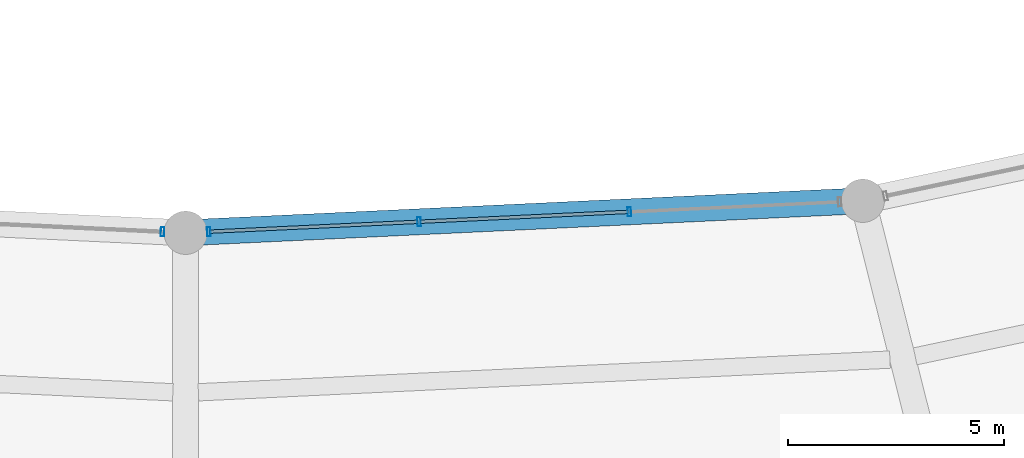
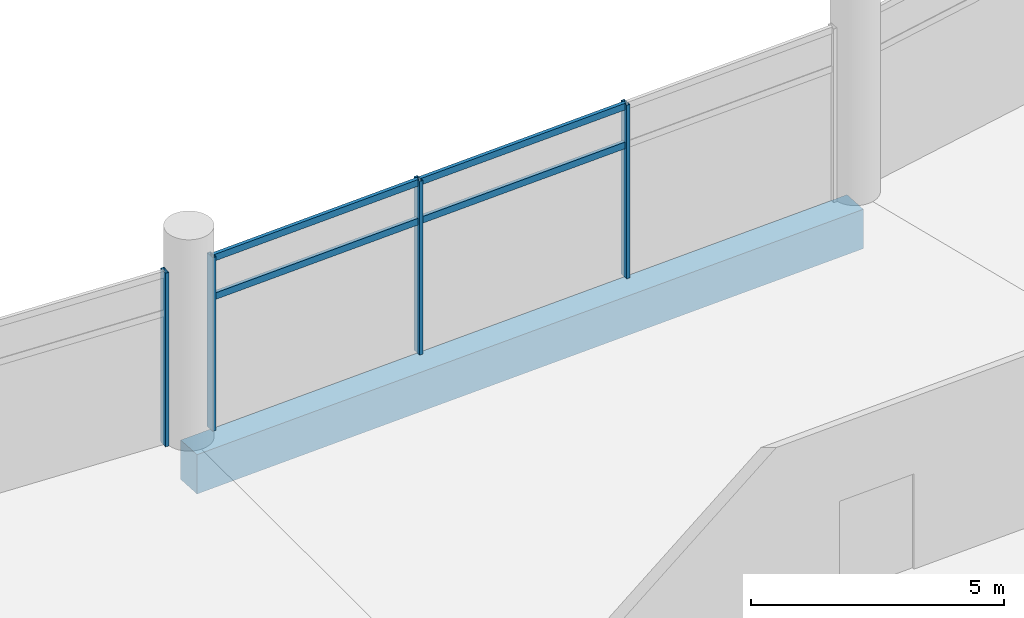
# One storey, part 31 of 184: 8 members, 1 beam, 2 elements without a shape of their own.
"""IFC4 building model written with IfcOpenShell, lengths in metres."""

from ifc_helpers import new_model, si_unit, direction, frame, origin, origin_2d, place, context, subcontext, project, spatial, rectangle, hollow_rectangle, extrude, material, layer, layer_set, material_profile, profile_set, type_object, element, aggregate, save


model = new_model("IFC4")

# Units and contexts
model_context = context("Model", 3, precision=1e-05, world=origin(), true_north=direction((0.0, 1.0)))
body_context = subcontext(model_context, "Body", "Model", "MODEL_VIEW")
ifc_project = project(units=[si_unit("LENGTHUNIT", "METRE"), si_unit("AREAUNIT", "SQUARE_METRE"), si_unit("VOLUMEUNIT", "CUBIC_METRE"), si_unit("PLANEANGLEUNIT", "RADIAN"), si_unit("MASSUNIT", "GRAM", prefix="KILO")], contexts=[model_context])

# Site, building, storey
site_placement = place(None, origin())
site = spatial("IfcSite", under=ifc_project, at=site_placement, CompositionType="ELEMENT")
building_placement = place(site_placement, origin())
building = spatial("IfcBuilding", under=site, at=building_placement, Name="Kazemori Nagisa Stadium", CompositionType="ELEMENT")
storey_placement = place(building_placement, frame((0.0, 0.0, 10.5400390625)))
storey = spatial("IfcBuildingStorey", under=building, at=storey_placement, Name="L02", CompositionType="ELEMENT", Elevation=10.5400390625)

# Beam
ifc_material_1 = material(Name="Concrete C40/50 (Fc42)", Category="concrete")
ifc_material_profile_1 = material_profile(ifc_material_1, rectangle(XDim=0.60009765625, YDim=0.949951171875, at=origin_2d()), Name="RC-BM-600x950")
ifc_profile_set_1 = profile_set([ifc_material_profile_1], Name="Concrete C40/50 (Fc42)")
beam_type = type_object("IfcBeamType", Name="Beam_BG-RC600X950", PredefinedType="BEAM", material=ifc_profile_set_1)
beam_placement = place(storey_placement, frame((123.0, 39.219970703125, -0.735107421875), z_axis=(0.998883604512, 0.047239227746, 0.0), x_axis=(-0.047239227746, 0.998883604512, 0.0)))
element("IfcBeam", 1, at=beam_placement, inside=storey, type_object=beam_type, Name="Ring girder BG-RC600X950 L02 R1-22", PredefinedType="BEAM", context=body_context, shape_type="SweptSolid", body=[
    extrude(rectangle(XDim=0.60009765625, YDim=0.949951171875, at=origin_2d()), origin(), (0.0, 0.0, 1.0), 15.65966796875),
])

# Curtain wall, member
ifc_material_2 = material(Name="Anodised aluminium 6063-T5", Category="aluminium")
ifc_layer = layer(ifc_material_2, 0.2099609375, Name="Anodised aluminium 6063-T5", Category="aluminium")
ifc_layer_set = layer_set([ifc_layer], Name="Anodised aluminium 6063-T5")
curtain_wall_type = type_object("IfcCurtainWallType", Name="CW_L02B_73", PredefinedType="USERDEFINED", material=ifc_layer_set)
curtain_wall_1_placement = place(storey_placement, origin())
curtain_wall_1 = element("IfcCurtainWall", 2, at=curtain_wall_1_placement, inside=storey, type_object=curtain_wall_type, Name="Unitised curtain wall CW-L02B-73 L02", ObjectType="UNITISED CURTAIN WALL", PredefinedType="USERDEFINED")
ifc_material_3 = material(Name="Aluminium 6063-T5 anodised", Category="aluminium")
ifc_material_profile_2 = material_profile(ifc_material_3, hollow_rectangle(XDim=0.080078125, YDim=0.2099609375, WallThickness=0.0048828125, at=origin_2d()), Name="ALU-MULL-80x210x5")
ifc_profile_set_2 = profile_set([ifc_material_profile_2], Name="Aluminium 6063-T5 anodised")
member_type_1 = type_object("IfcMemberType", Name="Mullion_M02", PredefinedType="MULLION", material=ifc_profile_set_2)
member_1_placement = place(storey_placement, frame((122.465576171875, 39.245361328125, 0.0), z_axis=(0.0, 0.0, 1.0), x_axis=(0.998884022476, -0.047230388971, 0.0)))
member_1 = element("IfcMember", 3, at=member_1_placement, type_object=member_type_1, Name="Curtain wall mullion CW-L02B-73-M4", PredefinedType="MULLION", context=body_context, shape_type="SweptSolid", body=[
    extrude(hollow_rectangle(XDim=0.080078125, YDim=0.2099609375, WallThickness=0.0048828125, at=origin_2d()), origin(), (0.0, 0.0, 1.0), 4.18994140625),
])
aggregate(curtain_wall_1, [member_1])

# Curtain wall, members
curtain_wall_2_placement = place(storey_placement, origin())
curtain_wall_2 = element("IfcCurtainWall", 4, at=curtain_wall_2_placement, inside=storey, type_object=curtain_wall_type, Name="Unitised curtain wall CW-L02B-73 L02", ObjectType="UNITISED CURTAIN WALL", PredefinedType="USERDEFINED")
member_2_placement = place(storey_placement, frame((123.534423828125, 39.245361328125, 0.0), z_axis=(0.0, 0.0, 1.0), x_axis=(0.998884022476, 0.047230388971, 0.0)))
member_2 = element("IfcMember", 5, at=member_2_placement, type_object=member_type_1, Name="Curtain wall mullion CW-L02B-73-M1", PredefinedType="MULLION", context=body_context, shape_type="SweptSolid", body=[
    extrude(hollow_rectangle(XDim=0.080078125, YDim=0.2099609375, WallThickness=0.0048828125, at=origin_2d()), origin(), (0.0, 0.0, 1.0), 4.18994140625),
])
member_3_placement = place(storey_placement, frame((128.39208984375, 39.474853515625, 0.0), z_axis=(0.0, 0.0, 1.0), x_axis=(0.998884022476, 0.047230388971, 0.0)))
member_3 = element("IfcMember", 6, at=member_3_placement, type_object=member_type_1, Name="Curtain wall mullion CW-L02B-73-M2", PredefinedType="MULLION", context=body_context, shape_type="SweptSolid", body=[
    extrude(hollow_rectangle(XDim=0.080078125, YDim=0.2099609375, WallThickness=0.0048828125, at=origin_2d()), origin(), (0.0, 0.0, 1.0), 4.18994140625),
])
member_4_placement = place(storey_placement, frame((133.25, 39.70458984375, 0.0), z_axis=(0.0, 0.0, 1.0), x_axis=(0.998884022476, 0.047230388971, 0.0)))
member_4 = element("IfcMember", 7, at=member_4_placement, type_object=member_type_1, Name="Curtain wall mullion CW-L02B-73-M3", PredefinedType="MULLION", context=body_context, shape_type="SweptSolid", body=[
    extrude(hollow_rectangle(XDim=0.080078125, YDim=0.2099609375, WallThickness=0.0048828125, at=origin_2d()), origin(), (0.0, 0.0, 1.0), 4.18994140625),
])
ifc_material_profile_3 = material_profile(ifc_material_3, hollow_rectangle(XDim=0.080078125, YDim=0.159912109375, WallThickness=0.00390625, at=origin_2d()), Name="ALU-TRAN-80x160x4")
ifc_profile_set_3 = profile_set([ifc_material_profile_3], Name="Aluminium 6063-T5 anodised")
member_type_2 = type_object("IfcMemberType", Name="Transom_T02", PredefinedType="USERDEFINED", material=ifc_profile_set_3)
member_5_placement = place(storey_placement, frame((123.554443359375, 39.24609375, 3.184326171875), z_axis=(0.99888183829, 0.047276560097, 0.0), x_axis=(-0.047276560097, 0.99888183829, 0.0)))
member_5 = element("IfcMember", 8, at=member_5_placement, type_object=member_type_2, Name="Curtain wall transom CW-L02B-73-T1-mid", ObjectType="TRANSOM", PredefinedType="USERDEFINED", context=body_context, shape_type="SweptSolid", body=[
    extrude(hollow_rectangle(XDim=0.080078125, YDim=0.159912109375, WallThickness=0.00390625, at=origin_2d()), origin(), (0.0, 0.0, 1.0), 4.8232421875),
])
member_6_placement = place(storey_placement, frame((123.554443359375, 39.24609375, 4.119873046875), z_axis=(0.99888183829, 0.047276560097, 0.0), x_axis=(-0.047276560097, 0.99888183829, 0.0)))
member_6 = element("IfcMember", 9, at=member_6_placement, type_object=member_type_2, Name="Curtain wall transom CW-L02B-73-T1-head", ObjectType="TRANSOM", PredefinedType="USERDEFINED", context=body_context, shape_type="SweptSolid", body=[
    extrude(hollow_rectangle(XDim=0.080078125, YDim=0.159912109375, WallThickness=0.00390625, at=origin_2d()), origin(), (0.0, 0.0, 1.0), 4.8232421875),
])
member_7_placement = place(storey_placement, frame((128.412109375, 39.475830078125, 3.184326171875), z_axis=(0.998884227355, 0.047226055748, 0.0), x_axis=(-0.047226055748, 0.998884227355, 0.0)))
member_7 = element("IfcMember", 10, at=member_7_placement, type_object=member_type_2, Name="Curtain wall transom CW-L02B-73-T2-mid", ObjectType="TRANSOM", PredefinedType="USERDEFINED", context=body_context, shape_type="SweptSolid", body=[
    extrude(hollow_rectangle(XDim=0.080078125, YDim=0.159912109375, WallThickness=0.00390625, at=origin_2d()), origin(), (0.0, 0.0, 1.0), 4.8232421875),
])
member_8_placement = place(storey_placement, frame((128.412109375, 39.475830078125, 4.119873046875), z_axis=(0.998884227355, 0.047226055748, 0.0), x_axis=(-0.047226055748, 0.998884227355, 0.0)))
member_8 = element("IfcMember", 11, at=member_8_placement, type_object=member_type_2, Name="Curtain wall transom CW-L02B-73-T2-head", ObjectType="TRANSOM", PredefinedType="USERDEFINED", context=body_context, shape_type="SweptSolid", body=[
    extrude(hollow_rectangle(XDim=0.080078125, YDim=0.159912109375, WallThickness=0.00390625, at=origin_2d()), origin(), (0.0, 0.0, 1.0), 4.8232421875),
])
aggregate(curtain_wall_2, [member_2, member_3, member_4, member_5, member_6, member_7, member_8])

save(model, "model.ifc")
